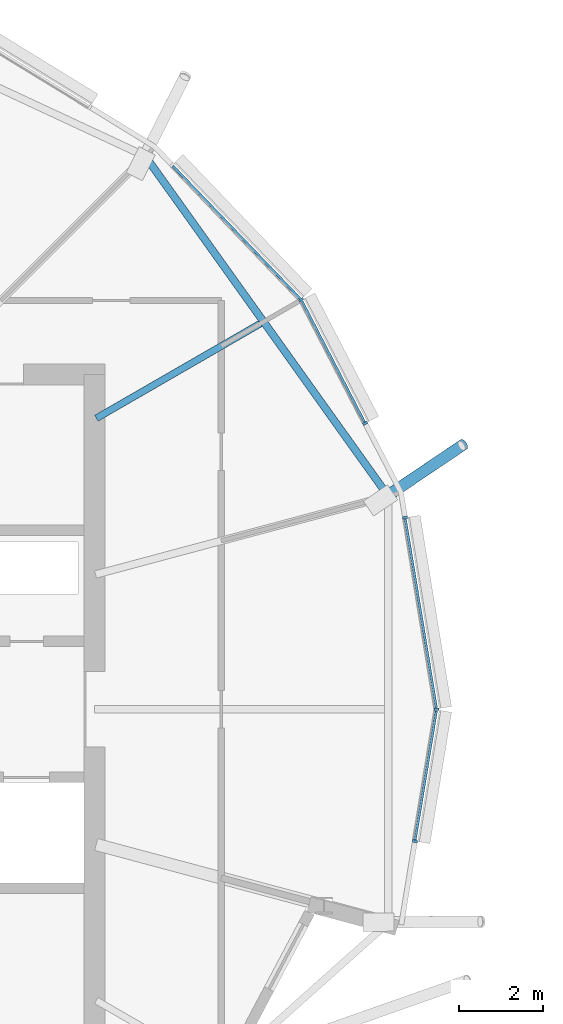
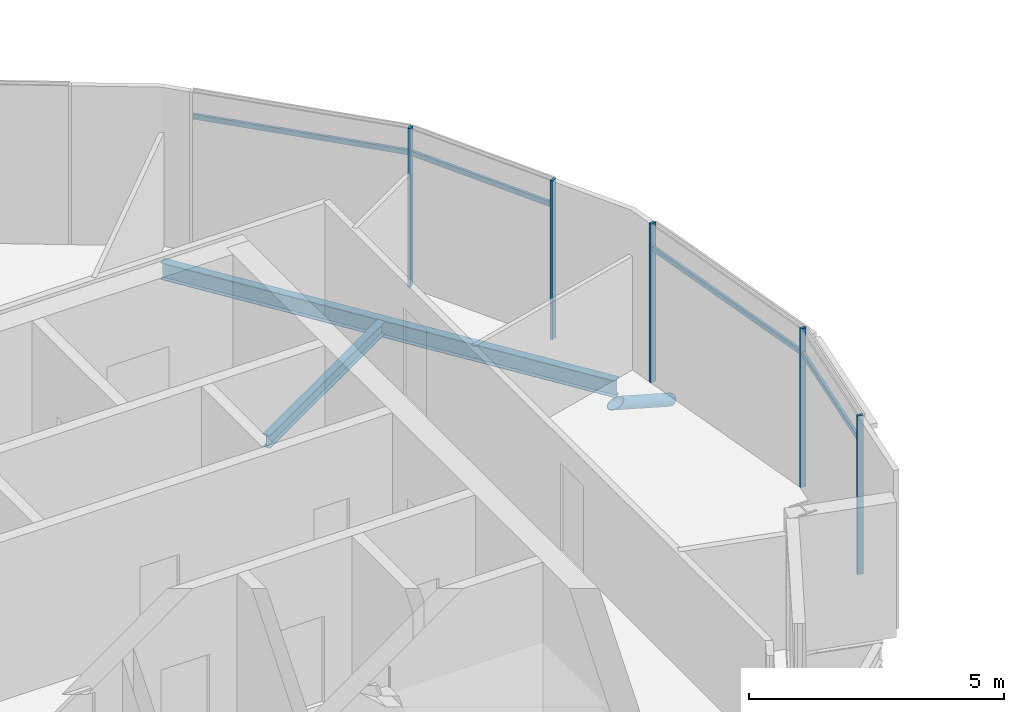
# One storey, part 7 of 36: 10 members, 2 beams, 1 element without a shape of its own.
"""IFC4 building model written with IfcOpenShell, lengths in metres."""

from ifc_helpers import new_model, si_unit, direction, frame, origin, origin_2d, place, context, subcontext, project, spatial, rectangle, hollow_circle, i_section, extrude, clip, halfspace, material, material_profile, profile_set, type_object, element, aggregate, save


model = new_model("IFC4")

# Units and contexts
model_context = context("Model", 3, precision=1e-05, world=origin(), true_north=direction((0.0, 1.0)))
body_context = subcontext(model_context, "Body", "Model", "MODEL_VIEW")
ifc_project = project(units=[si_unit("LENGTHUNIT", "METRE"), si_unit("AREAUNIT", "SQUARE_METRE"), si_unit("VOLUMEUNIT", "CUBIC_METRE"), si_unit("PLANEANGLEUNIT", "RADIAN"), si_unit("MASSUNIT", "GRAM", prefix="KILO")], contexts=[model_context])

# Site, building, storey
site_placement = place(None, origin())
site = spatial("IfcSite", under=ifc_project, at=site_placement, CompositionType="ELEMENT")
building_placement = place(site_placement, origin())
building = spatial("IfcBuilding", under=site, at=building_placement, Name="Rimbun Link Towers", CompositionType="ELEMENT")
storey_placement = place(building_placement, frame((0.0, 0.0, 248.5)))
storey = spatial("IfcBuildingStorey", under=building, at=storey_placement, Name="L61", CompositionType="ELEMENT", Elevation=248.5)

# Curtain wall, members
ifc_material_1 = material(Name="Aluminium 6063-T6 and low-iron glass", Category="aluminium")
curtain_wall_type = type_object("IfcCurtainWallType", Name="CW1-Z4 unitised vision wall (zone 4)", PredefinedType="NOTDEFINED", material=ifc_material_1)
curtain_wall_placement = place(storey_placement, origin())
curtain_wall = element("IfcCurtainWall", 1, at=curtain_wall_placement, inside=storey, type_object=curtain_wall_type, Name="CW1 L61 T1", PredefinedType="NOTDEFINED")
ifc_material_2 = material(Name="Aluminium 6063-T6", Category="aluminium")
ifc_material_profile_1 = material_profile(ifc_material_2, rectangle(XDim=0.1201171875, YDim=0.06005859375, at=origin_2d()), Name="MULLION 60X120")
ifc_profile_set_1 = profile_set([ifc_material_profile_1], Name="Aluminium 6063-T6")
member_type_1 = type_object("IfcMemberType", Name="CW1 mullion 60X120", PredefinedType="MULLION", material=ifc_profile_set_1)
member_1_placement = place(storey_placement, frame((-12.334228515625, 4.578125, 0.0), z_axis=(0.0, 0.0, 1.0), x_axis=(0.986747677327, 0.162262199201, 0.0)))
member_1 = element("IfcMember", 2, at=member_1_placement, type_object=member_type_1, Name="CW1 mullion", PredefinedType="MULLION", context=body_context, shape_type="SweptSolid", body=[
    extrude(rectangle(XDim=0.1201171875, YDim=0.06005859375, at=origin_2d()), origin(), (0.0, 0.0, 1.0), 3.800048828125),
])
member_2_placement = place(storey_placement, frame((-11.582275390625, 0.0, 0.0), z_axis=(0.0, 0.0, 1.0), x_axis=(1.0, 0.0, 0.0)))
member_2 = element("IfcMember", 3, at=member_2_placement, type_object=member_type_1, Name="CW1 mullion", PredefinedType="MULLION", context=body_context, shape_type="SweptSolid", body=[
    extrude(rectangle(XDim=0.1201171875, YDim=0.06005859375, at=origin_2d()), origin(), (0.0, 0.0, 1.0), 3.800048828125),
])
member_3_placement = place(storey_placement, frame((-14.816162109375, 9.783447265625, 0.0), z_axis=(0.0, 0.0, 1.0), x_axis=(0.813354276071, 0.581768701115, 0.0)))
member_3 = element("IfcMember", 4, at=member_3_placement, type_object=member_type_1, Name="CW1 mullion", PredefinedType="MULLION", context=body_context, shape_type="SweptSolid", body=[
    extrude(rectangle(XDim=0.1201171875, YDim=0.06005859375, at=origin_2d()), origin(), (0.0, 0.0, 1.0), 3.800048828125),
])
member_4_placement = place(storey_placement, frame((-13.287841796875, 6.8310546875, 0.0), z_axis=(0.0, 0.0, 1.0), x_axis=(0.888150898734, 0.459551935126, 0.0)))
member_4 = element("IfcMember", 5, at=member_4_placement, type_object=member_type_1, Name="CW1 mullion", PredefinedType="MULLION", context=body_context, shape_type="SweptSolid", body=[
    extrude(rectangle(XDim=0.1201171875, YDim=0.06005859375, at=origin_2d()), origin(), (0.0, 0.0, 1.0), 3.800048828125),
])
member_5_placement = place(storey_placement, frame((-12.09912109375, -3.1474609375, 0.0), z_axis=(0.0, 0.0, 1.0), x_axis=(0.986747677327, -0.162262199201, 0.0)))
member_5 = element("IfcMember", 6, at=member_5_placement, type_object=member_type_1, Name="CW1 mullion", PredefinedType="MULLION", context=body_context, shape_type="SweptSolid", body=[
    extrude(rectangle(XDim=0.1201171875, YDim=0.06005859375, at=origin_2d()), origin(), (0.0, 0.0, 1.0), 3.800048828125),
])
ifc_material_3 = material(Name="Aluminium 6063-T6", Category="aluminium")
ifc_material_profile_2 = material_profile(ifc_material_3, rectangle(XDim=0.06005859375, YDim=0.1201171875, at=origin_2d()), Name="TRANSOM 60X120")
ifc_profile_set_2 = profile_set([ifc_material_profile_2], Name="Aluminium 6063-T6")
member_type_2 = type_object("IfcMemberType", Name="CW1 transom 60X120", PredefinedType="USERDEFINED", material=ifc_profile_set_2)
member_6_placement = place(storey_placement, frame((-12.33154296875, 4.54833984375, 3.199951171875), z_axis=(0.162302085284, -0.986741117575, 0.0), x_axis=(0.986741117575, 0.162302085284, 0.0)))
member_6 = element("IfcMember", 7, at=member_6_placement, type_object=member_type_2, Name="CW1 transom", ObjectType="TRANSOM", PredefinedType="USERDEFINED", context=body_context, shape_type="SweptSolid", body=[
    extrude(rectangle(XDim=0.06005859375, YDim=0.1201171875, at=origin_2d()), origin(), (0.0, 0.0, 1.0), 4.56982421875),
])
member_7_placement = place(storey_placement, frame((-14.799560546875, 9.74853515625, 3.199951171875), z_axis=(0.459528996767, -0.888162767251, 0.0), x_axis=(0.888162767251, 0.459528996767, 0.0)))
member_7 = element("IfcMember", 8, at=member_7_placement, type_object=member_type_2, Name="CW1 transom", ObjectType="TRANSOM", PredefinedType="USERDEFINED", context=body_context, shape_type="SweptSolid", body=[
    extrude(rectangle(XDim=0.06005859375, YDim=0.1201171875, at=origin_2d()), origin(), (0.0, 0.0, 1.0), 3.255615234375),
])
member_8_placement = place(storey_placement, frame((-17.880126953125, 12.9775390625, 3.199951171875), z_axis=(0.692037083084, -0.721861950539, 0.0), x_axis=(0.721861950539, 0.692037083084, 0.0)))
member_8 = element("IfcMember", 9, at=member_8_placement, type_object=member_type_2, Name="CW1 transom", ObjectType="TRANSOM", PredefinedType="USERDEFINED", context=body_context, shape_type="SweptSolid", body=[
    extrude(rectangle(XDim=0.06005859375, YDim=0.1201171875, at=origin_2d()), origin(), (0.0, 0.0, 1.0), 4.3876953125),
])
member_9_placement = place(storey_placement, frame((-11.58984375, -0.0390625, 3.199951171875), z_axis=(-0.162304717263, -0.986740684655, 0.0), x_axis=(0.986740684655, -0.162304717263, 0.0)))
member_9 = element("IfcMember", 10, at=member_9_placement, type_object=member_type_2, Name="CW1 transom", ObjectType="TRANSOM", PredefinedType="USERDEFINED", context=body_context, shape_type="SweptSolid", body=[
    extrude(rectangle(XDim=0.06005859375, YDim=0.1201171875, at=origin_2d()), origin(), (0.0, 0.0, 1.0), 3.11962890625),
])
aggregate(curtain_wall, [member_1, member_2, member_3, member_4, member_5, member_6, member_7, member_8, member_9])

# Member
ifc_material_4 = material(Name="Steel S355J2H", Category="steel")
ifc_material_profile_3 = material_profile(ifc_material_4, hollow_circle(Radius=0.136474609375, WallThickness=0.012451171875, at=origin_2d()), Name="CHS 273x12.5")
ifc_profile_set_3 = profile_set([ifc_material_profile_3], Name="Steel S355J2H")
member_type_3 = type_object("IfcMemberType", Name="Floor edge link CHS 273x12.5", PredefinedType="BRACE", material=ifc_profile_set_3)
member_10_placement = place(storey_placement, frame((-12.786376953125, 5.081298828125, -0.663330078125), z_axis=(0.712881593088, 0.480518289012, -0.510785677326), x_axis=(-0.558931918006, 0.829213549717, 0.0)))
element("IfcMember", 11, at=member_10_placement, inside=storey, type_object=member_type_3, Name="Floor edge link T1 L61 01", PredefinedType="BRACE", context=body_context, shape_type="Clipping", body=[
    clip(extrude(hollow_circle(Radius=0.136474609375, WallThickness=0.012451171875, at=origin_2d()), frame((0.0, 0.0, -0.47900390625)), (0.0, 0.0, 1.0), 3.076416015625), halfspace(frame((0.0, 0.0, -0.22509765625), z_axis=(0.0, 0.859708085247, -0.510785677326)), False)),
])

# Beams
ifc_material_5 = material(Name="Steel S355J2", Category="steel")
ifc_material_profile_4 = material_profile(ifc_material_5, i_section(OverallWidth=0.1650390625, OverallDepth=0.303466796875, WebThickness=0.006103515625, FlangeThickness=0.01025390625, at=origin_2d()), Name="UB 305x165x40")
ifc_profile_set_4 = profile_set([ifc_material_profile_4], Name="Steel S355J2")
beam_type_1 = type_object("IfcBeamType", Name="UB 305x165x40", PredefinedType="BEAM", material=ifc_profile_set_4)
beam_1_placement = place(storey_placement, frame((-19.7080078125, 6.952392578125, -0.291748046875), z_axis=(0.866024614991, 0.500001366228, 0.0), x_axis=(-0.500001366228, 0.866024614991, 0.0)))
element("IfcBeam", 12, at=beam_1_placement, inside=storey, type_object=beam_type_1, Name="Radial beam T1 L61 02", PredefinedType="BEAM", context=body_context, shape_type="SweptSolid", body=[
    extrude(i_section(OverallWidth=0.1650390625, OverallDepth=0.303466796875, WebThickness=0.006103515625, FlangeThickness=0.01025390625, at=origin_2d()), origin(), (0.0, 0.0, 1.0), 4.52099609375),
])
ifc_material_6 = material(Name="Steel S355J2", Category="steel")
ifc_material_profile_5 = material_profile(ifc_material_6, i_section(OverallWidth=0.177978515625, OverallDepth=0.406494140625, WebThickness=0.0078125, FlangeThickness=0.0126953125, at=origin_2d()), Name="UB 406x178x60")
ifc_profile_set_5 = profile_set([ifc_material_profile_5], Name="Steel S355J2")
beam_type_2 = type_object("IfcBeamType", Name="UB 406x178x60", PredefinedType="BEAM", material=ifc_profile_set_5)
beam_2_placement = place(storey_placement, frame((-12.7939453125, 5.17236328125, -0.34326171875), z_axis=(-0.581518899223, 0.813532894139, 0.0), x_axis=(-0.813532894139, -0.581518899223, 0.0)))
element("IfcBeam", 13, at=beam_2_placement, inside=storey, type_object=beam_type_2, Name="Edge beam T1 L61 01-03", PredefinedType="BEAM", context=body_context, shape_type="SweptSolid", body=[
    extrude(i_section(OverallWidth=0.177978515625, OverallDepth=0.406494140625, WebThickness=0.0078125, FlangeThickness=0.0126953125, at=origin_2d()), origin(), (0.0, 0.0, 1.0), 9.789306640625),
])

save(model, "model.ifc")
